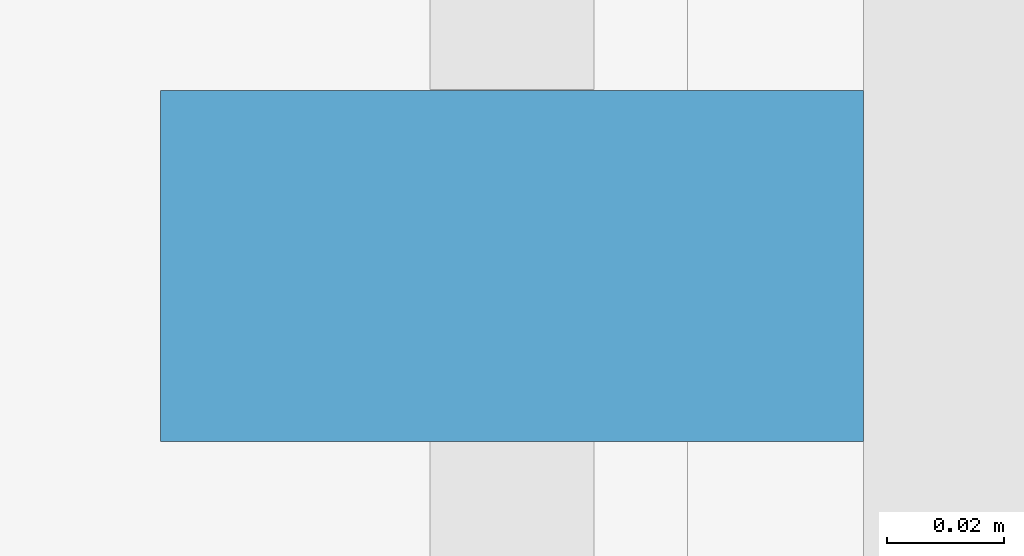
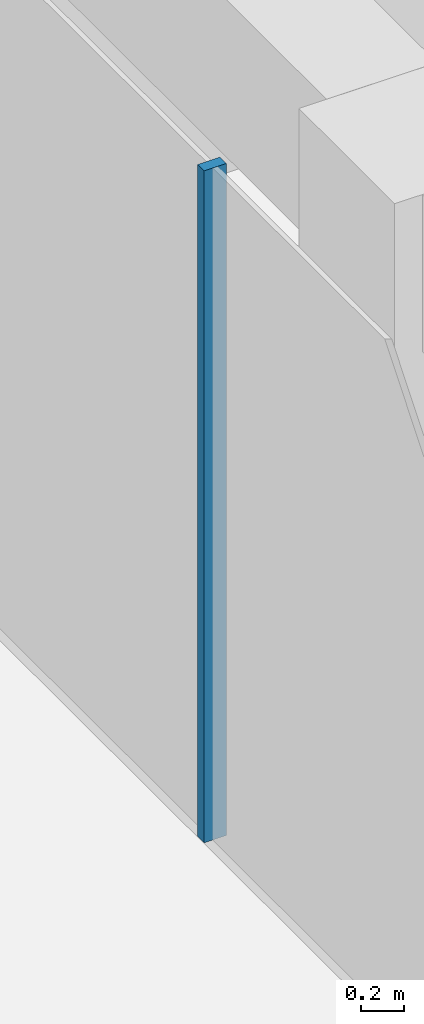
# One storey, part 11 of 23: 1 member, 1 element without a shape of its own.
"""IFC4 building model written with IfcOpenShell, lengths in metres."""

from ifc_helpers import new_model, si_unit, direction, frame, origin, origin_2d, place, context, subcontext, project, spatial, rectangle, extrude, material, layer, layer_set, material_profile, profile_set, type_object, element, aggregate, save


model = new_model("IFC4")

# Units and contexts
model_context = context("Model", 3, precision=1e-05, world=origin(), true_north=direction((0.0, 1.0)))
body_context = subcontext(model_context, "Body", "Model", "MODEL_VIEW")
ifc_project = project(units=[si_unit("LENGTHUNIT", "METRE"), si_unit("AREAUNIT", "SQUARE_METRE"), si_unit("VOLUMEUNIT", "CUBIC_METRE"), si_unit("PLANEANGLEUNIT", "RADIAN"), si_unit("MASSUNIT", "GRAM", prefix="KILO")], contexts=[model_context])

# Site, building, storey
site_placement = place(None, origin())
site = spatial("IfcSite", under=ifc_project, at=site_placement, CompositionType="ELEMENT")
building_placement = place(site_placement, origin())
building = spatial("IfcBuilding", under=site, at=building_placement, Name="Welwitschia Terrace Campus", CompositionType="ELEMENT")
storey_placement = place(building_placement, frame((0.0, 0.0, 117.199951171875)))
storey = spatial("IfcBuildingStorey", under=building, at=storey_placement, Name="L26", CompositionType="ELEMENT", Elevation=117.199951171875)

# Curtain wall, member
ifc_material_1 = material(Name="Bronze anodised aluminium", Category="aluminium")
ifc_layer = layer(ifc_material_1, 0.1201171875)
ifc_layer_set = layer_set([ifc_layer], Name="Bronze anodised aluminium")
curtain_wall_type = type_object("IfcCurtainWallType", Name="Curtain wall CW2 tower 6000", PredefinedType="NOTDEFINED", material=ifc_layer_set)
curtain_wall_placement = place(storey_placement, origin())
curtain_wall = element("IfcCurtainWall", 1, at=curtain_wall_placement, inside=storey, type_object=curtain_wall_type, Name="CW L26.12.0", PredefinedType="NOTDEFINED")
ifc_material_2 = material(Name="Bronze anodised aluminium", Category="aluminium")
ifc_material_profile = material_profile(ifc_material_2, rectangle(XDim=0.1201171875, YDim=0.06005859375, at=origin_2d()))
ifc_profile_set = profile_set([ifc_material_profile], Name="Bronze anodised aluminium")
member_type = type_object("IfcMemberType", Name="Mullion 60x120", PredefinedType="MULLION", material=ifc_profile_set)
member_placement = place(storey_placement, frame((-1.030029296875, 52.26025390625, 0.0), z_axis=(0.0, 0.0, 1.0), x_axis=(1.0, 0.0, 0.0)))
member = element("IfcMember", 2, at=member_placement, type_object=member_type, Name="Mullion L26.12.0.3", PredefinedType="MULLION", context=body_context, shape_type="SweptSolid", body=[
    extrude(rectangle(XDim=0.1201171875, YDim=0.06005859375, at=origin_2d()), origin(), (0.0, 0.0, 1.0), 3.85009765625),
])
aggregate(curtain_wall, [member])

save(model, "model.ifc")
